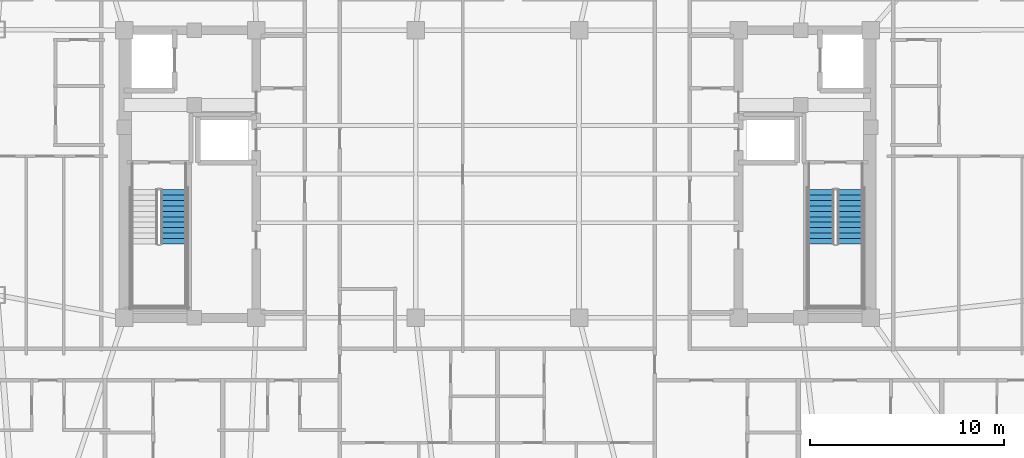
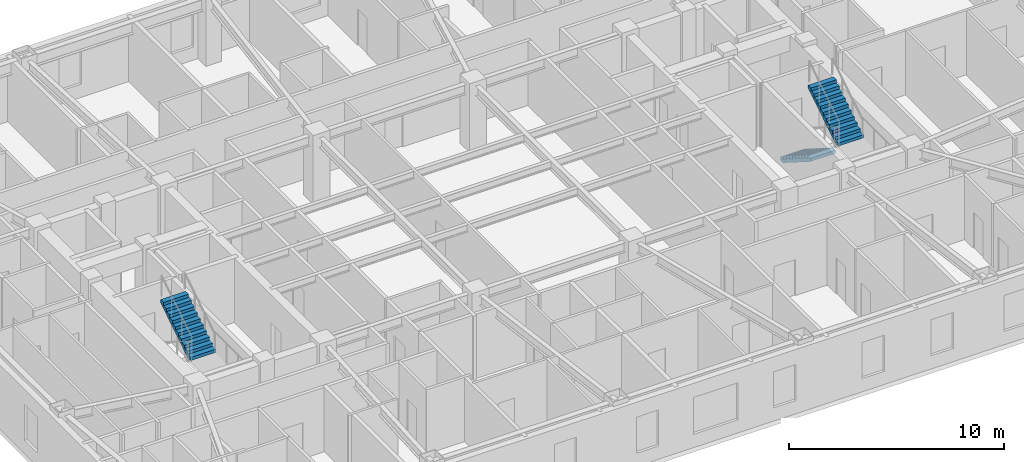
# One storey, part 9 of 11: 3 stair flights, 2 elements without a shape of their own.
"""IFC4 building model written with IfcOpenShell, lengths in metres."""

from ifc_helpers import new_model, si_unit, direction, frame, origin, place, context, subcontext, project, spatial, polyline, outline, extrude, material, type_object, element, aggregate, save


model = new_model("IFC4")

# Units and contexts
model_context = context("Model", 3, precision=1e-05, world=origin(), true_north=direction((0.0, 1.0)))
body_context = subcontext(model_context, "Body", "Model", "MODEL_VIEW")
ifc_project = project(units=[si_unit("LENGTHUNIT", "METRE"), si_unit("AREAUNIT", "SQUARE_METRE"), si_unit("VOLUMEUNIT", "CUBIC_METRE"), si_unit("PLANEANGLEUNIT", "RADIAN"), si_unit("MASSUNIT", "GRAM", prefix="KILO")], contexts=[model_context])

# Site, building, storey
site_placement = place(None, origin())
site = spatial("IfcSite", under=ifc_project, at=site_placement, CompositionType="ELEMENT")
building_placement = place(site_placement, origin())
building = spatial("IfcBuilding", under=site, at=building_placement, Name="Voryun Gate Residences", CompositionType="ELEMENT")
storey_placement = place(building_placement, frame((0.0, 0.0, 247.0)))
storey = spatial("IfcBuildingStorey", under=building, at=storey_placement, Name="L61", CompositionType="ELEMENT", Elevation=247.0)

# Stair, stair flight
ifc_material_1 = material(Name="Concrete C40/50", Category="concrete")
stair_type = type_object("IfcStairType", Name="STR_CORE_DOGLEG_1350", PredefinedType="HALF_TURN_STAIR", material=ifc_material_1)
stair_1_placement = place(storey_placement, origin())
stair_1 = element("IfcStair", 1, at=stair_1_placement, inside=storey, type_object=stair_type, Name="L61 Special Escape Stair ST-W1", PredefinedType="HALF_TURN_STAIR")
ifc_material_2 = material(Name="Concrete C40/50", Category="concrete")
stair_flight_type = type_object("IfcStairFlightType", Name="FLT_CORE_1350", PredefinedType="STRAIGHT", material=ifc_material_2)
stair_flight_1_placement = place(storey_placement, frame((-16.64990234375, -3.60009765625, 1.949951171875), z_axis=(0.0, 0.0, 1.0), x_axis=(0.0, 1.0, 0.0)))
stair_flight_1 = element("IfcStairFlight", 2, at=stair_flight_1_placement, type_object=stair_flight_type, Name="ST-W1 flight 2", NumberOfRisers=11, NumberOfTreads=10, PredefinedType="STRAIGHT", RiserHeight=0.177272727, TreadLength=0.28, context=body_context, shape_type="SweptSolid", body=[
    extrude(outline(polyline([(0.0, 0.0), (0.0, 0.17724609375), (0.280029296875, 0.17724609375), (0.280029296875, 0.3544921875), (0.56005859375, 0.3544921875), (0.56005859375, 0.53173828125), (0.840087890625, 0.53173828125), (0.840087890625, 0.708984375), (1.1201171875, 0.708984375), (1.1201171875, 0.886474609375), (1.39990234375, 0.886474609375), (1.39990234375, 1.063720703125), (1.679931640625, 1.063720703125), (1.679931640625, 1.240966796875), (1.9599609375, 1.240966796875), (1.9599609375, 1.418212890625), (2.239990234375, 1.418212890625), (2.239990234375, 1.595458984375), (2.52001953125, 1.595458984375), (2.52001953125, 1.772705078125), (2.800048828125, 1.772705078125), (2.800048828125, 1.949951171875), (2.800048828125, 1.59521484375), (0.2802734375, 0.0), (0.0, 0.0)])), frame((0.0, 0.675048828125, 0.0), z_axis=(0.0, -1.0, 0.0), x_axis=(1.0, 0.0, 0.0)), (0.0, 0.0, 1.0), 1.35009765625),
])
aggregate(stair_1, [stair_flight_1])

# Stair, stair flights
stair_2_placement = place(storey_placement, origin())
stair_2 = element("IfcStair", 3, at=stair_2_placement, inside=storey, type_object=stair_type, Name="L61 Special Escape Stair ST-E1", PredefinedType="HALF_TURN_STAIR")
stair_flight_2_placement = place(storey_placement, frame((16.64990234375, -0.800048828125, 0.0), z_axis=(0.0, 0.0, 1.0), x_axis=(0.0, -1.0, 0.0)))
stair_flight_2 = element("IfcStairFlight", 4, at=stair_flight_2_placement, type_object=stair_flight_type, Name="ST-E1 flight 1", NumberOfRisers=11, NumberOfTreads=10, PredefinedType="STRAIGHT", RiserHeight=0.177272727, TreadLength=0.28, context=body_context, shape_type="SweptSolid", body=[
    extrude(outline(polyline([(0.0, 0.0), (0.0, 0.17724609375), (0.280029296875, 0.17724609375), (0.280029296875, 0.3544921875), (0.56005859375, 0.3544921875), (0.56005859375, 0.53173828125), (0.840087890625, 0.53173828125), (0.840087890625, 0.708984375), (1.1201171875, 0.708984375), (1.1201171875, 0.886474609375), (1.39990234375, 0.886474609375), (1.39990234375, 1.063720703125), (1.679931640625, 1.063720703125), (1.679931640625, 1.240966796875), (1.9599609375, 1.240966796875), (1.9599609375, 1.418212890625), (2.239990234375, 1.418212890625), (2.239990234375, 1.595458984375), (2.52001953125, 1.595458984375), (2.52001953125, 1.772705078125), (2.800048828125, 1.772705078125), (2.800048828125, 1.949951171875), (2.800048828125, 1.59521484375), (0.2802734375, 0.0), (0.0, 0.0)])), frame((0.0, 0.675048828125, 0.0), z_axis=(0.0, -1.0, 0.0), x_axis=(1.0, 0.0, 0.0)), (0.0, 0.0, 1.0), 1.35009765625),
])
stair_flight_3_placement = place(storey_placement, frame((18.14990234375, -3.60009765625, 1.949951171875), z_axis=(0.0, 0.0, 1.0), x_axis=(0.0, 1.0, 0.0)))
stair_flight_3 = element("IfcStairFlight", 5, at=stair_flight_3_placement, type_object=stair_flight_type, Name="ST-E1 flight 2", NumberOfRisers=11, NumberOfTreads=10, PredefinedType="STRAIGHT", RiserHeight=0.177272727, TreadLength=0.28, context=body_context, shape_type="SweptSolid", body=[
    extrude(outline(polyline([(0.0, 0.0), (0.0, 0.17724609375), (0.280029296875, 0.17724609375), (0.280029296875, 0.3544921875), (0.56005859375, 0.3544921875), (0.56005859375, 0.53173828125), (0.840087890625, 0.53173828125), (0.840087890625, 0.708984375), (1.1201171875, 0.708984375), (1.1201171875, 0.886474609375), (1.39990234375, 0.886474609375), (1.39990234375, 1.063720703125), (1.679931640625, 1.063720703125), (1.679931640625, 1.240966796875), (1.9599609375, 1.240966796875), (1.9599609375, 1.418212890625), (2.239990234375, 1.418212890625), (2.239990234375, 1.595458984375), (2.52001953125, 1.595458984375), (2.52001953125, 1.772705078125), (2.800048828125, 1.772705078125), (2.800048828125, 1.949951171875), (2.800048828125, 1.59521484375), (0.2802734375, 0.0), (0.0, 0.0)])), frame((0.0, 0.675048828125, 0.0), z_axis=(0.0, -1.0, 0.0), x_axis=(1.0, 0.0, 0.0)), (0.0, 0.0, 1.0), 1.35009765625),
])
aggregate(stair_2, [stair_flight_2, stair_flight_3])

save(model, "model.ifc")
